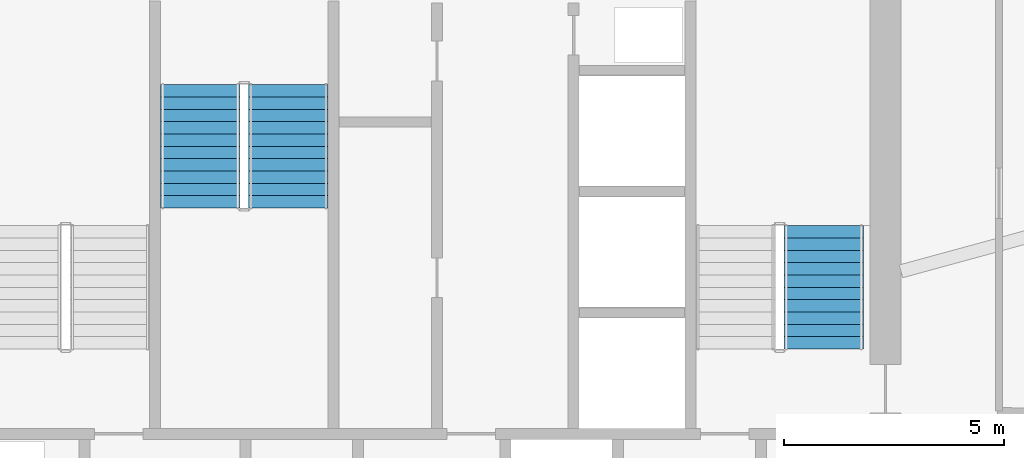
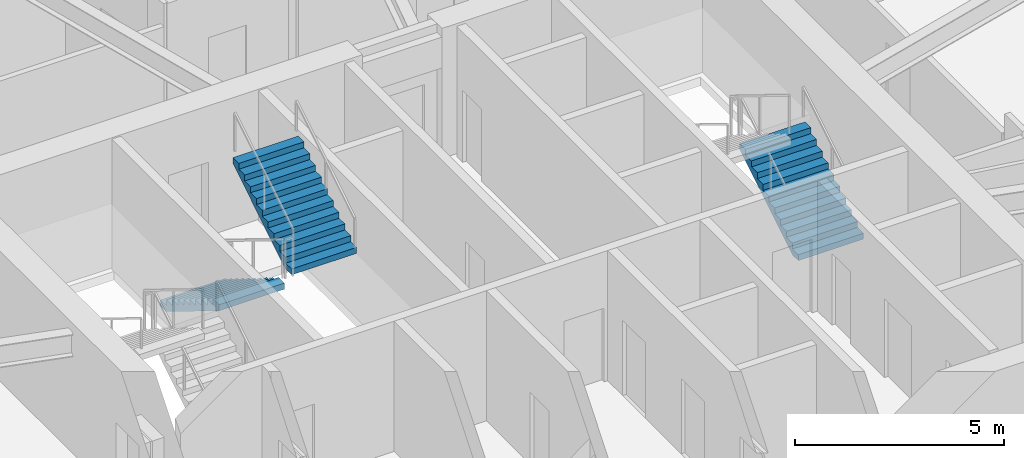
# One storey, part 22 of 25: 3 stair flights, 2 elements without a shape of their own.
"""IFC4 building model written with IfcOpenShell, lengths in metres."""

from ifc_helpers import new_model, si_unit, direction, frame, origin, place, context, subcontext, project, spatial, polyline, outline, extrude, material, type_object, element, aggregate, save


model = new_model("IFC4")

# Units and contexts
model_context = context("Model", 3, precision=1e-05, world=origin(), true_north=direction((0.0, 1.0)))
body_context = subcontext(model_context, "Body", "Model", "MODEL_VIEW")
ifc_project = project(units=[si_unit("LENGTHUNIT", "METRE"), si_unit("AREAUNIT", "SQUARE_METRE"), si_unit("VOLUMEUNIT", "CUBIC_METRE"), si_unit("PLANEANGLEUNIT", "RADIAN"), si_unit("MASSUNIT", "GRAM", prefix="KILO")], contexts=[model_context])

# Site, building, storey
site_placement = place(None, origin())
site = spatial("IfcSite", under=ifc_project, at=site_placement, CompositionType="ELEMENT")
building_placement = place(site_placement, origin())
building = spatial("IfcBuilding", under=site, at=building_placement, Name="Zuhravey Tower", CompositionType="ELEMENT")
storey_placement = place(building_placement, frame((0.0, 0.0, 180.800048828125)))
storey = spatial("IfcBuildingStorey", under=building, at=storey_placement, Name="L45", CompositionType="ELEMENT", Elevation=180.800048828125)

# Stair, stair flight
ifc_material = material(Name="Concrete C40/50", Category="concrete")
stair_type = type_object("IfcStairType", Name="Housing Storey Stair Assembly 3800", PredefinedType="HALF_TURN_STAIR", material=ifc_material)
stair_1_placement = place(storey_placement, origin())
stair_1 = element("IfcStair", 1, at=stair_1_placement, inside=storey, type_object=stair_type, Name="L45 Core Exit Stair ST2", PredefinedType="HALF_TURN_STAIR")
stair_flight_type = type_object("IfcStairFlightType", Name="Housing Storey Stair Flight 3800", PredefinedType="STRAIGHT", material=ifc_material)
stair_flight_1_placement = place(storey_placement, frame((45.10009765625, 33.199951171875, 0.0), z_axis=(0.0, 0.0, 1.0), x_axis=(0.0, 1.0, 0.0)))
stair_flight_1 = element("IfcStairFlight", 2, at=stair_flight_1_placement, type_object=stair_flight_type, Name="ST2 flight 1", NumberOfRisers=11, NumberOfTreads=10, PredefinedType="STRAIGHT", RiserHeight=0.172727273, TreadLength=0.28, context=body_context, shape_type="SweptSolid", body=[
    extrude(outline(polyline([(0.0, 0.0), (0.0, 0.172607421875), (0.280029296875, 0.172607421875), (0.280029296875, 0.345458984375), (0.56005859375, 0.345458984375), (0.56005859375, 0.51806640625), (0.840087890625, 0.51806640625), (0.840087890625, 0.69091796875), (1.1201171875, 0.69091796875), (1.1201171875, 0.863525390625), (1.39990234375, 0.863525390625), (1.39990234375, 1.036376953125), (1.679931640625, 1.036376953125), (1.679931640625, 1.208984375), (1.9599609375, 1.208984375), (1.9599609375, 1.3818359375), (2.239990234375, 1.3818359375), (2.239990234375, 1.554443359375), (2.52001953125, 1.554443359375), (2.52001953125, 1.727294921875), (2.800048828125, 1.727294921875), (2.800048828125, 1.89990234375), (2.800048828125, 1.551025390625), (0.285400390625, 0.0), (0.0, 0.0)])), frame((0.0, 0.89990234375, 0.0), z_axis=(0.0, -1.0, 0.0), x_axis=(1.0, 0.0, 0.0)), (0.0, 0.0, 1.0), 1.800048828125),
])
aggregate(stair_1, [stair_flight_1])

# Stair, stair flights
stair_2_placement = place(storey_placement, origin())
stair_2 = element("IfcStair", 3, at=stair_2_placement, inside=storey, type_object=stair_type, Name="L45 Core Exit Stair ST3", PredefinedType="HALF_TURN_STAIR")
stair_flight_2_placement = place(storey_placement, frame((30.949951171875, 39.199951171875, 0.0), z_axis=(0.0, 0.0, 1.0), x_axis=(0.0, -1.0, 0.0)))
stair_flight_2 = element("IfcStairFlight", 4, at=stair_flight_2_placement, type_object=stair_flight_type, Name="ST3 flight 1", NumberOfRisers=11, NumberOfTreads=10, PredefinedType="STRAIGHT", RiserHeight=0.172727273, TreadLength=0.28, context=body_context, shape_type="SweptSolid", body=[
    extrude(outline(polyline([(0.0, 0.0), (0.0, 0.172607421875), (0.280029296875, 0.172607421875), (0.280029296875, 0.345458984375), (0.56005859375, 0.345458984375), (0.56005859375, 0.51806640625), (0.840087890625, 0.51806640625), (0.840087890625, 0.69091796875), (1.1201171875, 0.69091796875), (1.1201171875, 0.863525390625), (1.39990234375, 0.863525390625), (1.39990234375, 1.036376953125), (1.679931640625, 1.036376953125), (1.679931640625, 1.208984375), (1.9599609375, 1.208984375), (1.9599609375, 1.3818359375), (2.239990234375, 1.3818359375), (2.239990234375, 1.554443359375), (2.52001953125, 1.554443359375), (2.52001953125, 1.727294921875), (2.800048828125, 1.727294921875), (2.800048828125, 1.89990234375), (2.800048828125, 1.551025390625), (0.285400390625, 0.0), (0.0, 0.0)])), frame((0.0, 0.89990234375, 0.0), z_axis=(0.0, -1.0, 0.0), x_axis=(1.0, 0.0, 0.0)), (0.0, 0.0, 1.0), 1.800048828125),
])
stair_flight_3_placement = place(storey_placement, frame((32.949951171875, 36.39990234375, 1.89990234375), z_axis=(0.0, 0.0, 1.0), x_axis=(0.0, 1.0, 0.0)))
stair_flight_3 = element("IfcStairFlight", 5, at=stair_flight_3_placement, type_object=stair_flight_type, Name="ST3 flight 2", NumberOfRisers=11, NumberOfTreads=10, PredefinedType="STRAIGHT", RiserHeight=0.172727273, TreadLength=0.28, context=body_context, shape_type="SweptSolid", body=[
    extrude(outline(polyline([(0.0, 0.0), (0.0, 0.172607421875), (0.280029296875, 0.172607421875), (0.280029296875, 0.345458984375), (0.56005859375, 0.345458984375), (0.56005859375, 0.51806640625), (0.840087890625, 0.51806640625), (0.840087890625, 0.69091796875), (1.1201171875, 0.69091796875), (1.1201171875, 0.863525390625), (1.39990234375, 0.863525390625), (1.39990234375, 1.036376953125), (1.679931640625, 1.036376953125), (1.679931640625, 1.208984375), (1.9599609375, 1.208984375), (1.9599609375, 1.3818359375), (2.239990234375, 1.3818359375), (2.239990234375, 1.554443359375), (2.52001953125, 1.554443359375), (2.52001953125, 1.727294921875), (2.800048828125, 1.727294921875), (2.800048828125, 1.89990234375), (2.800048828125, 1.551025390625), (0.285400390625, 0.0), (0.0, 0.0)])), frame((0.0, 0.89990234375, 0.0), z_axis=(0.0, -1.0, 0.0), x_axis=(1.0, 0.0, 0.0)), (0.0, 0.0, 1.0), 1.800048828125),
])
aggregate(stair_2, [stair_flight_2, stair_flight_3])

save(model, "model.ifc")
